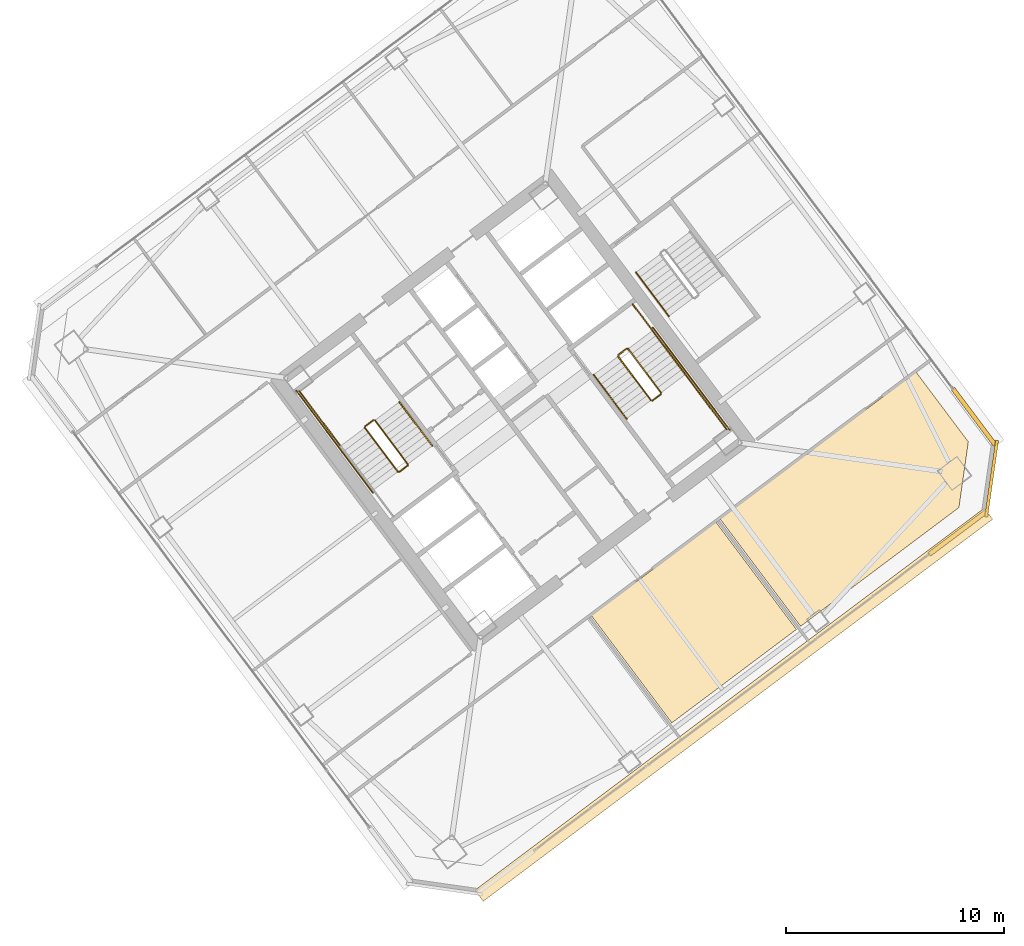
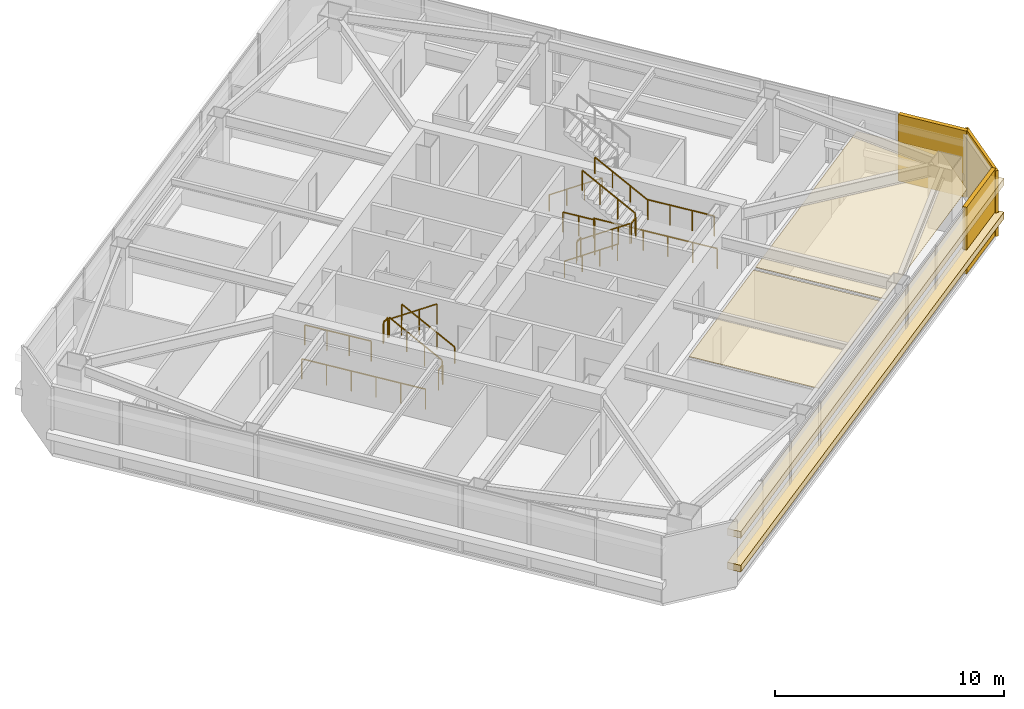
# One storey, part 41 of 43: 17 railings, 7 coverings.
"""IFC4 building model written with IfcOpenShell, lengths in metres."""

from ifc_helpers import new_model, si_unit, direction, frame, origin, origin_2d, place, context, subcontext, project, spatial, polyline, rectangle, outline, extrude, material, layer, layer_set, type_object, element, save


model = new_model("IFC4")

# Units and contexts
model_context = context("Model", 3, precision=1e-05, world=origin(), true_north=direction((0.0, 1.0)))
body_context = subcontext(model_context, "Body", "Model", "MODEL_VIEW")
ifc_project = project(units=[si_unit("LENGTHUNIT", "METRE"), si_unit("AREAUNIT", "SQUARE_METRE"), si_unit("VOLUMEUNIT", "CUBIC_METRE"), si_unit("PLANEANGLEUNIT", "RADIAN"), si_unit("MASSUNIT", "GRAM", prefix="KILO")], contexts=[model_context])

# Site, building, storey
site_placement = place(None, origin())
site = spatial("IfcSite", under=ifc_project, at=site_placement, CompositionType="ELEMENT")
building_placement = place(site_placement, origin())
building = spatial("IfcBuilding", under=site, at=building_placement, Name="Tashvorn Skyway Center", CompositionType="ELEMENT")
storey_placement = place(building_placement, frame((0.0, 0.0, 160.550048828125)))
storey = spatial("IfcBuildingStorey", under=building, at=storey_placement, Name="L43", CompositionType="ELEMENT", Elevation=160.550048828125)

# Coverings
ifc_material_1 = material(Name="Precast concrete C40/50", Category="concrete")
ifc_layer_1 = layer(ifc_material_1, 0.199951171875)
ifc_layer_set_1 = layer_set([ifc_layer_1], Name="Precast concrete C40/50")
covering_type_1 = type_object("IfcCoveringType", Name="COV-BRACE-CLAD", PredefinedType="CLADDING", material=ifc_layer_set_1)
for number, where, z_axis, x_axis, name in (
    (1, (134.43603515625, 26.35205078125, 0.0), (0.0, 0.0, 1.0), (-0.799999996291, -0.600000004945, 0.0), "Tower 2 L43 South Unitised Curtain Wall Mega-Brace Cladding Band 1"),
    (2, (135.199951171875, 31.699951171875, 0.0), (0.0, 0.0, 1.0), (0.600000004945, -0.799999996291, 0.0), "Tower 2 L43 East Unitised Curtain Wall Mega-Brace Cladding Band 2"),
):
    element("IfcCovering", number, at=place(storey_placement, frame(where, z_axis=z_axis, x_axis=x_axis)), inside=storey, type_object=covering_type_1, Name=name, PredefinedType="CLADDING", context=body_context, shape_type="SweptSolid", body=[
        extrude(rectangle(XDim=3.239990234375, YDim=0.199951171875, at=origin_2d()), origin(), (0.0, 0.0, 1.0), 3.550048828125),
    ])
ifc_material_2 = material(Name="Mineral-fibre acoustic ceiling tile on suspended grid")
ifc_layer_2 = layer(ifc_material_2, 0.02001953125)
ifc_layer_set_2 = layer_set([ifc_layer_2], Name="Mineral-fibre acoustic ceiling tile on suspended grid")
covering_type_2 = type_object("IfcCoveringType", Name="COV-CEIL-20", PredefinedType="CEILING", material=ifc_layer_set_2)
covering_1_placement = place(storey_placement, frame((0.0, 0.0, 2.702880859375)))
element("IfcCovering", 3, at=covering_1_placement, inside=storey, type_object=covering_type_2, Name="Tower 2 L43 Staff Fitness Club Acoustic Ceiling", PredefinedType="CEILING", context=body_context, shape_type="SweptSolid", body=[
    extrude(outline(polyline([(117.60205078125, 22.56396484375), (123.330078125, 26.860107421875), (127.031982421875, 21.924072265625), (121.303955078125, 17.6279296875), (117.60205078125, 22.56396484375)])), origin(), (0.0, 0.0, 1.0), 0.02001953125),
])
covering_2_placement = place(storey_placement, frame((0.0, 0.0, 2.702880859375)))
element("IfcCovering", 4, at=covering_2_placement, inside=storey, type_object=covering_type_2, Name="Tower 2 L43 Staff Fitness Club Acoustic Ceiling", PredefinedType="CEILING", context=body_context, shape_type="SweptSolid", body=[
    extrude(outline(polyline([(127.22412109375, 22.068115234375), (123.52197265625, 27.00390625), (132.530029296875, 33.760009765625), (134.93603515625, 30.552001953125), (134.50390625, 27.528076171875), (127.22412109375, 22.068115234375)])), origin(), (0.0, 0.0, 1.0), 0.02001953125),
])
ifc_material_3 = material(Name="Perforated ceramic-coated bronze aluminium solar screen", Category="aluminium")
ifc_layer_3 = layer(ifc_material_3, 0.85009765625)
ifc_layer_set_3 = layer_set([ifc_layer_3], Name="Perforated ceramic-coated bronze aluminium solar screen")
covering_type_3 = type_object("IfcCoveringType", Name="COV-SOLAR-BAND", PredefinedType="CLADDING", material=ifc_layer_set_3)
for number, where, z_axis, x_axis, name in (
    (5, (124.152099609375, 18.464111328125, 0.919921875), (0.0, 0.0, 1.0), (-0.799999996291, -0.600000004945, 0.0), "L43 Perforated Ceramic-Metal Solar Screen Louvre Band South 1"),
    (6, (124.152099609375, 18.464111328125, 2.7197265625), (0.0, 0.0, 1.0), (-0.799999996291, -0.600000004945, 0.0), "L43 Perforated Ceramic-Metal Solar Screen Louvre Band South 2"),
):
    element("IfcCovering", number, at=place(storey_placement, frame(where, z_axis=z_axis, x_axis=x_axis)), inside=storey, type_object=covering_type_3, Name=name, PredefinedType="CLADDING", context=body_context, shape_type="SweptSolid", body=[
        extrude(rectangle(XDim=29.280029296875, YDim=0.639892578125, at=origin_2d()), origin(), (0.0, 0.0, 1.0), 0.360107421875),
    ])
ifc_layer_4 = layer(ifc_material_1, 0.35009765625)
ifc_layer_set_4 = layer_set([ifc_layer_4], Name="Precast concrete C40/50")
covering_type_4 = type_object("IfcCoveringType", Name="COV-STONE-TRIM", PredefinedType="CLADDING", material=ifc_layer_set_4)
covering_3_placement = place(storey_placement, frame((136.008056640625, 28.85595703125, 0.02001953125), z_axis=(0.0, 0.0, 1.0), x_axis=(0.141421350118, 0.989949494535, 0.0)))
element("IfcCovering", 7, at=covering_3_placement, inside=storey, type_object=covering_type_4, Name="Tower 2 L43 SE Mojave Limestone Corner Quoin", PredefinedType="CLADDING", context=body_context, shape_type="SweptSolid", body=[
    extrude(rectangle(XDim=3.55419921875, YDim=0.139892578125, at=origin_2d()), origin(), (0.0, 0.0, 1.0), 3.510009765625),
])

# Railings
ifc_material_4 = material(Name="Brushed stainless steel 316", Category="steel")
railing_type_1 = type_object("IfcRailingType", Name="RAIL-HAND-920", PredefinedType="HANDRAIL", material=ifc_material_4)
railing_1_placement = place(storey_placement, frame((110.2880859375, 30.365966796875, 0.177490234375)))
element("IfcRailing", 8, at=railing_1_placement, inside=storey, type_object=railing_type_1, Name="L43 ST-T2-1 stair handrail 1", PredefinedType="HANDRAIL", context=body_context, shape_type="SweptSolid", body=[
    extrude(rectangle(XDim=0.048095703125, YDim=0.048095703125, at=origin_2d()), frame((0.0, 0.0, 0.8759765625), z_axis=(-0.506801609611, 0.675680931896, 0.535357270211), x_axis=(-0.799976749893, -0.600030998891, 0.0)), (0.0, 0.0, 1.0), 2.98388671875),
    extrude(rectangle(XDim=0.0419921875, YDim=0.0419921875, at=origin_2d()), origin(), (0.0, 0.0, 1.0), 0.851806640625),
    extrude(rectangle(XDim=0.0419921875, YDim=0.0419921875, at=origin_2d()), frame((-0.504150390625, 0.672119140625, 0.532470703125)), (0.0, 0.0, 1.0), 0.851806640625),
    extrude(rectangle(XDim=0.0419921875, YDim=0.0419921875, at=origin_2d()), frame((-1.008056640625, 1.343994140625, 1.06494140625)), (0.0, 0.0, 1.0), 0.851806640625),
    extrude(rectangle(XDim=0.0419921875, YDim=0.0419921875, at=origin_2d()), frame((-1.51220703125, 2.01611328125, 1.597412109375)), (0.0, 0.0, 1.0), 0.851806640625),
])
railing_2_placement = place(storey_placement, frame((117.7119140625, 33.634033203125, 0.177490234375)))
element("IfcRailing", 9, at=railing_2_placement, inside=storey, type_object=railing_type_1, Name="L43 ST-T2-2 stair handrail 1", PredefinedType="HANDRAIL", context=body_context, shape_type="SweptSolid", body=[
    extrude(rectangle(XDim=0.048095703125, YDim=0.048095703125, at=origin_2d()), frame((0.0, 0.0, 0.8759765625), z_axis=(0.506801609611, -0.675680931896, 0.535357270211), x_axis=(0.799976749893, 0.600030998891, 0.0)), (0.0, 0.0, 1.0), 2.98388671875),
    extrude(rectangle(XDim=0.0419921875, YDim=0.0419921875, at=origin_2d()), origin(), (0.0, 0.0, 1.0), 0.851806640625),
    extrude(rectangle(XDim=0.0419921875, YDim=0.0419921875, at=origin_2d()), frame((0.504150390625, -0.672119140625, 0.532470703125)), (0.0, 0.0, 1.0), 0.851806640625),
    extrude(rectangle(XDim=0.0419921875, YDim=0.0419921875, at=origin_2d()), frame((1.008056640625, -1.343994140625, 1.06494140625)), (0.0, 0.0, 1.0), 0.851806640625),
    extrude(rectangle(XDim=0.0419921875, YDim=0.0419921875, at=origin_2d()), frame((1.51220703125, -2.01611328125, 1.597412109375)), (0.0, 0.0, 1.0), 0.851806640625),
])
railing_3_placement = place(storey_placement, frame((121.927978515625, 33.64599609375, 1.952392578125)))
element("IfcRailing", 10, at=railing_3_placement, inside=storey, type_object=railing_type_1, Name="L43 ST-T2-2 stair handrail 2", PredefinedType="HANDRAIL", context=body_context, shape_type="SweptSolid", body=[
    extrude(rectangle(XDim=0.048095703125, YDim=0.048095703125, at=origin_2d()), frame((0.0, 0.0, 0.8759765625), z_axis=(-0.506718600913, 0.675679348675, 0.535437836974), x_axis=(-0.800023250257, -0.599968998406, 0.0)), (0.0, 0.0, 1.0), 2.98388671875),
    extrude(rectangle(XDim=0.0419921875, YDim=0.0419921875, at=origin_2d()), origin(), (0.0, 0.0, 1.0), 0.851806640625),
    extrude(rectangle(XDim=0.0419921875, YDim=0.0419921875, at=origin_2d()), frame((-0.50390625, 0.672119140625, 0.532470703125)), (0.0, 0.0, 1.0), 0.851806640625),
    extrude(rectangle(XDim=0.0419921875, YDim=0.0419921875, at=origin_2d()), frame((-1.008056640625, 1.343994140625, 1.065185546875)), (0.0, 0.0, 1.0), 0.851806640625),
    extrude(rectangle(XDim=0.0419921875, YDim=0.0419921875, at=origin_2d()), frame((-1.511962890625, 2.01611328125, 1.59765625)), (0.0, 0.0, 1.0), 0.851806640625),
])
railing_4_placement = place(storey_placement, frame((119.656005859375, 38.342041015625, 0.177490234375)))
element("IfcRailing", 11, at=railing_4_placement, inside=storey, type_object=railing_type_1, Name="L43 ST-T2-3 stair handrail 1", PredefinedType="HANDRAIL", context=body_context, shape_type="SweptSolid", body=[
    extrude(rectangle(XDim=0.048095703125, YDim=0.048095703125, at=origin_2d()), frame((0.0, 0.0, 0.8759765625), z_axis=(0.506740800098, -0.675708949977, 0.535379469569), x_axis=(0.800023250257, 0.599968998406, 0.0)), (0.0, 0.0, 1.0), 2.983642578125),
    extrude(rectangle(XDim=0.0419921875, YDim=0.0419921875, at=origin_2d()), origin(), (0.0, 0.0, 1.0), 0.851806640625),
    extrude(rectangle(XDim=0.0419921875, YDim=0.0419921875, at=origin_2d()), frame((0.50390625, -0.672119140625, 0.532470703125)), (0.0, 0.0, 1.0), 0.851806640625),
    extrude(rectangle(XDim=0.0419921875, YDim=0.0419921875, at=origin_2d()), frame((1.008056640625, -1.343994140625, 1.06494140625)), (0.0, 0.0, 1.0), 0.851806640625),
    extrude(rectangle(XDim=0.0419921875, YDim=0.0419921875, at=origin_2d()), frame((1.511962890625, -2.01611328125, 1.597412109375)), (0.0, 0.0, 1.0), 0.851806640625),
])
ifc_material_5 = material(Name="Painted galvanized steel S355", Category="steel")
railing_type_2 = type_object("IfcRailingType", Name="RAIL-STGUARD-1100", PredefinedType="GUARDRAIL", material=ifc_material_5)
railing_5_placement = place(storey_placement, frame((109.16796875, 29.52587890625, 0.177490234375)))
element("IfcRailing", 12, at=railing_5_placement, inside=storey, type_object=railing_type_2, Name="L43 ST-T2-1 stair guard 1", PredefinedType="GUARDRAIL", context=body_context, shape_type="SweptSolid", body=[
    extrude(rectangle(XDim=0.048095703125, YDim=0.048095703125, at=origin_2d()), frame((0.0, 0.0, 1.076171875), z_axis=(-0.506740800098, 0.675708949977, 0.535379469569), x_axis=(-0.800023250257, -0.599968998406, 0.0)), (0.0, 0.0, 1.0), 2.983642578125),
    extrude(rectangle(XDim=0.0419921875, YDim=0.0419921875, at=origin_2d()), origin(), (0.0, 0.0, 1.0), 1.052001953125),
    extrude(rectangle(XDim=0.0419921875, YDim=0.0419921875, at=origin_2d()), frame((-0.50390625, 0.672119140625, 0.532470703125)), (0.0, 0.0, 1.0), 1.052001953125),
    extrude(rectangle(XDim=0.0419921875, YDim=0.0419921875, at=origin_2d()), frame((-1.008056640625, 1.343994140625, 1.06494140625)), (0.0, 0.0, 1.0), 1.052001953125),
    extrude(rectangle(XDim=0.0419921875, YDim=0.0419921875, at=origin_2d()), frame((-1.511962890625, 2.01611328125, 1.597412109375)), (0.0, 0.0, 1.0), 1.052001953125),
])
railing_6_placement = place(storey_placement, frame((107.5859375, 31.552001953125, 1.77490234375)))
element("IfcRailing", 13, at=railing_6_placement, inside=storey, type_object=railing_type_2, Name="L43 ST-T2-1 stair guard 2", PredefinedType="GUARDRAIL", context=body_context, shape_type="SweptSolid", body=[
    extrude(rectangle(XDim=0.048095703125, YDim=0.048095703125, at=origin_2d()), frame((0.0, 0.0, 1.076171875), z_axis=(-0.799938970639, -0.600081363861, 0.0), x_axis=(0.600081363861, -0.799938970639, 0.0)), (0.0, 0.0, 1.0), 0.47998046875),
    extrude(rectangle(XDim=0.0419921875, YDim=0.0419921875, at=origin_2d()), origin(), (0.0, 0.0, 1.0), 1.052001953125),
    extrude(rectangle(XDim=0.0419921875, YDim=0.0419921875, at=origin_2d()), frame((-0.384033203125, -0.2880859375, 0.0)), (0.0, 0.0, 1.0), 1.052001953125),
])
railing_7_placement = place(storey_placement, frame((106.072021484375, 30.35400390625, 1.77490234375)))
element("IfcRailing", 14, at=railing_7_placement, inside=storey, type_object=railing_type_2, Name="L43 ST-T2-1 stair guard 3", PredefinedType="GUARDRAIL", context=body_context, shape_type="SweptSolid", body=[
    extrude(rectangle(XDim=0.048095703125, YDim=0.048095703125, at=origin_2d()), frame((0.0, 0.0, 1.076171875), z_axis=(-0.599987638607, 0.800009270896, 0.0), x_axis=(-0.800009270896, -0.599987638607, 0.0)), (0.0, 0.0, 1.0), 3.16015625),
    extrude(rectangle(XDim=0.0419921875, YDim=0.0419921875, at=origin_2d()), origin(), (0.0, 0.0, 1.0), 1.052001953125),
    extrude(rectangle(XDim=0.0419921875, YDim=0.0419921875, at=origin_2d()), frame((-0.632080078125, 0.8427734375, 0.0)), (0.0, 0.0, 1.0), 1.052001953125),
    extrude(rectangle(XDim=0.0419921875, YDim=0.0419921875, at=origin_2d()), frame((-1.263916015625, 1.685302734375, 0.0)), (0.0, 0.0, 1.0), 1.052001953125),
    extrude(rectangle(XDim=0.0419921875, YDim=0.0419921875, at=origin_2d()), frame((-1.89599609375, 2.528076171875, 0.0)), (0.0, 0.0, 1.0), 1.052001953125),
])
railing_8_placement = place(storey_placement, frame((107.19189453125, 31.194091796875, 1.952392578125)))
element("IfcRailing", 15, at=railing_8_placement, inside=storey, type_object=railing_type_2, Name="L43 ST-T2-1 stair guard 4", PredefinedType="GUARDRAIL", context=body_context, shape_type="SweptSolid", body=[
    extrude(rectangle(XDim=0.048095703125, YDim=0.048095703125, at=origin_2d()), frame((0.0, 0.0, 1.076171875), z_axis=(0.506779409603, -0.675651334276, 0.53541563714), x_axis=(0.799976749893, 0.600030998891, 0.0)), (0.0, 0.0, 1.0), 2.98388671875),
    extrude(rectangle(XDim=0.0419921875, YDim=0.0419921875, at=origin_2d()), origin(), (0.0, 0.0, 1.0), 1.052001953125),
    extrude(rectangle(XDim=0.0419921875, YDim=0.0419921875, at=origin_2d()), frame((0.504150390625, -0.672119140625, 0.532470703125)), (0.0, 0.0, 1.0), 1.052001953125),
    extrude(rectangle(XDim=0.0419921875, YDim=0.0419921875, at=origin_2d()), frame((1.008056640625, -1.343994140625, 1.065185546875)), (0.0, 0.0, 1.0), 1.052001953125),
    extrude(rectangle(XDim=0.0419921875, YDim=0.0419921875, at=origin_2d()), frame((1.51220703125, -2.01611328125, 1.59765625)), (0.0, 0.0, 1.0), 1.052001953125),
])
railing_9_placement = place(storey_placement, frame((109.157958984375, 29.4560546875, 0.0)))
element("IfcRailing", 16, at=railing_9_placement, inside=storey, type_object=railing_type_2, Name="L43 ST-T2-1 stair guard 5", PredefinedType="GUARDRAIL", context=body_context, shape_type="SweptSolid", body=[
    extrude(rectangle(XDim=0.048095703125, YDim=0.048095703125, at=origin_2d()), frame((0.0, 0.0, 1.076171875), z_axis=(-0.799938970639, -0.600081363861, 0.0), x_axis=(0.600081363861, -0.799938970639, 0.0)), (0.0, 0.0, 1.0), 0.47998046875),
    extrude(rectangle(XDim=0.0419921875, YDim=0.0419921875, at=origin_2d()), origin(), (0.0, 0.0, 1.0), 1.052001953125),
    extrude(rectangle(XDim=0.0419921875, YDim=0.0419921875, at=origin_2d()), frame((-0.384033203125, -0.2880859375, 0.0)), (0.0, 0.0, 1.0), 1.052001953125),
])
railing_10_placement = place(storey_placement, frame((107.56396484375, 28.197998046875, 0.0)))
element("IfcRailing", 17, at=railing_10_placement, inside=storey, type_object=railing_type_2, Name="L43 ST-T2-1 stair guard 7", PredefinedType="GUARDRAIL", context=body_context, shape_type="SweptSolid", body=[
    extrude(rectangle(XDim=0.048095703125, YDim=0.048095703125, at=origin_2d()), frame((0.0, 0.0, 1.076171875), z_axis=(-0.6, 0.8, 0.0), x_axis=(-0.8, -0.6, 0.0)), (0.0, 0.0, 1.0), 5.880126953125),
    extrude(rectangle(XDim=0.0419921875, YDim=0.0419921875, at=origin_2d()), origin(), (0.0, 0.0, 1.0), 1.052001953125),
    extrude(rectangle(XDim=0.0419921875, YDim=0.0419921875, at=origin_2d()), frame((-0.70556640625, 0.94091796875, 0.0)), (0.0, 0.0, 1.0), 1.052001953125),
    extrude(rectangle(XDim=0.0419921875, YDim=0.0419921875, at=origin_2d()), frame((-1.4111328125, 1.881591796875, 0.0)), (0.0, 0.0, 1.0), 1.052001953125),
    extrude(rectangle(XDim=0.0419921875, YDim=0.0419921875, at=origin_2d()), frame((-2.116943359375, 2.822509765625, 0.0)), (0.0, 0.0, 1.0), 1.052001953125),
    extrude(rectangle(XDim=0.0419921875, YDim=0.0419921875, at=origin_2d()), frame((-2.822509765625, 3.76318359375, 0.0)), (0.0, 0.0, 1.0), 1.052001953125),
    extrude(rectangle(XDim=0.0419921875, YDim=0.0419921875, at=origin_2d()), frame((-3.528076171875, 4.7041015625, 0.0)), (0.0, 0.0, 1.0), 1.052001953125),
])
railing_11_placement = place(storey_placement, frame((118.83203125, 34.47412109375, 0.177490234375)))
element("IfcRailing", 18, at=railing_11_placement, inside=storey, type_object=railing_type_2, Name="L43 ST-T2-2 stair guard 1", PredefinedType="GUARDRAIL", context=body_context, shape_type="SweptSolid", body=[
    extrude(rectangle(XDim=0.048095703125, YDim=0.048095703125, at=origin_2d()), frame((0.0, 0.0, 1.076171875), z_axis=(0.506740800098, -0.675708949977, 0.535379469569), x_axis=(0.800023250257, 0.599968998406, 0.0)), (0.0, 0.0, 1.0), 2.983642578125),
    extrude(rectangle(XDim=0.0419921875, YDim=0.0419921875, at=origin_2d()), origin(), (0.0, 0.0, 1.0), 1.052001953125),
    extrude(rectangle(XDim=0.0419921875, YDim=0.0419921875, at=origin_2d()), frame((0.50390625, -0.672119140625, 0.532470703125)), (0.0, 0.0, 1.0), 1.052001953125),
    extrude(rectangle(XDim=0.0419921875, YDim=0.0419921875, at=origin_2d()), frame((1.008056640625, -1.343994140625, 1.06494140625)), (0.0, 0.0, 1.0), 1.052001953125),
    extrude(rectangle(XDim=0.0419921875, YDim=0.0419921875, at=origin_2d()), frame((1.511962890625, -2.01611328125, 1.597412109375)), (0.0, 0.0, 1.0), 1.052001953125),
])
railing_12_placement = place(storey_placement, frame((120.4140625, 32.447998046875, 1.77490234375)))
element("IfcRailing", 19, at=railing_12_placement, inside=storey, type_object=railing_type_2, Name="L43 ST-T2-2 stair guard 2", PredefinedType="GUARDRAIL", context=body_context, shape_type="SweptSolid", body=[
    extrude(rectangle(XDim=0.048095703125, YDim=0.048095703125, at=origin_2d()), frame((0.0, 0.0, 1.076171875), z_axis=(0.799938970639, 0.600081363861, 0.0), x_axis=(-0.600081363861, 0.799938970639, 0.0)), (0.0, 0.0, 1.0), 0.47998046875),
    extrude(rectangle(XDim=0.0419921875, YDim=0.0419921875, at=origin_2d()), origin(), (0.0, 0.0, 1.0), 1.052001953125),
    extrude(rectangle(XDim=0.0419921875, YDim=0.0419921875, at=origin_2d()), frame((0.384033203125, 0.2880859375, 0.0)), (0.0, 0.0, 1.0), 1.052001953125),
])
railing_13_placement = place(storey_placement, frame((121.927978515625, 33.64599609375, 1.77490234375)))
element("IfcRailing", 20, at=railing_13_placement, inside=storey, type_object=railing_type_2, Name="L43 ST-T2-2 stair guard 3", PredefinedType="GUARDRAIL", context=body_context, shape_type="SweptSolid", body=[
    extrude(rectangle(XDim=0.048095703125, YDim=0.048095703125, at=origin_2d()), frame((0.0, 0.0, 1.076171875), z_axis=(0.599987638607, -0.800009270896, 0.0), x_axis=(0.800009270896, 0.599987638607, 0.0)), (0.0, 0.0, 1.0), 3.16015625),
    extrude(rectangle(XDim=0.0419921875, YDim=0.0419921875, at=origin_2d()), origin(), (0.0, 0.0, 1.0), 1.052001953125),
    extrude(rectangle(XDim=0.0419921875, YDim=0.0419921875, at=origin_2d()), frame((0.632080078125, -0.8427734375, 0.0)), (0.0, 0.0, 1.0), 1.052001953125),
    extrude(rectangle(XDim=0.0419921875, YDim=0.0419921875, at=origin_2d()), frame((1.263916015625, -1.685302734375, 0.0)), (0.0, 0.0, 1.0), 1.052001953125),
    extrude(rectangle(XDim=0.0419921875, YDim=0.0419921875, at=origin_2d()), frame((1.89599609375, -2.528076171875, 0.0)), (0.0, 0.0, 1.0), 1.052001953125),
])
railing_14_placement = place(storey_placement, frame((120.80810546875, 32.805908203125, 1.952392578125)))
element("IfcRailing", 21, at=railing_14_placement, inside=storey, type_object=railing_type_2, Name="L43 ST-T2-2 stair guard 4", PredefinedType="GUARDRAIL", context=body_context, shape_type="SweptSolid", body=[
    extrude(rectangle(XDim=0.048095703125, YDim=0.048095703125, at=origin_2d()), frame((0.0, 0.0, 1.076171875), z_axis=(-0.506779409603, 0.675651334276, 0.53541563714), x_axis=(-0.799976749893, -0.600030998891, 0.0)), (0.0, 0.0, 1.0), 2.98388671875),
    extrude(rectangle(XDim=0.0419921875, YDim=0.0419921875, at=origin_2d()), origin(), (0.0, 0.0, 1.0), 1.052001953125),
    extrude(rectangle(XDim=0.0419921875, YDim=0.0419921875, at=origin_2d()), frame((-0.504150390625, 0.672119140625, 0.532470703125)), (0.0, 0.0, 1.0), 1.052001953125),
    extrude(rectangle(XDim=0.0419921875, YDim=0.0419921875, at=origin_2d()), frame((-1.008056640625, 1.343994140625, 1.065185546875)), (0.0, 0.0, 1.0), 1.052001953125),
    extrude(rectangle(XDim=0.0419921875, YDim=0.0419921875, at=origin_2d()), frame((-1.51220703125, 2.01611328125, 1.59765625)), (0.0, 0.0, 1.0), 1.052001953125),
])
railing_15_placement = place(storey_placement, frame((118.842041015625, 34.5439453125, 0.0)))
element("IfcRailing", 22, at=railing_15_placement, inside=storey, type_object=railing_type_2, Name="L43 ST-T2-2 stair guard 5", PredefinedType="GUARDRAIL", context=body_context, shape_type="SweptSolid", body=[
    extrude(rectangle(XDim=0.048095703125, YDim=0.048095703125, at=origin_2d()), frame((0.0, 0.0, 1.076171875), z_axis=(0.799938970639, 0.600081363861, 0.0), x_axis=(-0.600081363861, 0.799938970639, 0.0)), (0.0, 0.0, 1.0), 0.47998046875),
    extrude(rectangle(XDim=0.0419921875, YDim=0.0419921875, at=origin_2d()), origin(), (0.0, 0.0, 1.0), 1.052001953125),
    extrude(rectangle(XDim=0.0419921875, YDim=0.0419921875, at=origin_2d()), frame((0.384033203125, 0.2880859375, 0.0)), (0.0, 0.0, 1.0), 1.052001953125),
])
railing_16_placement = place(storey_placement, frame((119.50390625, 36.8779296875, 0.0)))
element("IfcRailing", 23, at=railing_16_placement, inside=storey, type_object=railing_type_2, Name="L43 ST-T2-2 stair guard 6", PredefinedType="GUARDRAIL", context=body_context, shape_type="SweptSolid", body=[
    extrude(rectangle(XDim=0.048095703125, YDim=0.048095703125, at=origin_2d()), frame((0.0, 0.0, 1.076171875), z_axis=(0.600102796382, -0.799922892393, 0.0), x_axis=(0.799922892393, 0.600102796382, 0.0)), (0.0, 0.0, 1.0), 1.52001953125),
    extrude(rectangle(XDim=0.0419921875, YDim=0.0419921875, at=origin_2d()), origin(), (0.0, 0.0, 1.0), 1.052001953125),
    extrude(rectangle(XDim=0.0419921875, YDim=0.0419921875, at=origin_2d()), frame((0.4560546875, -0.60791015625, 0.0)), (0.0, 0.0, 1.0), 1.052001953125),
    extrude(rectangle(XDim=0.0419921875, YDim=0.0419921875, at=origin_2d()), frame((0.912109375, -1.2158203125, 0.0)), (0.0, 0.0, 1.0), 1.052001953125),
])
railing_17_placement = place(storey_placement, frame((120.43603515625, 35.802001953125, 0.0)))
element("IfcRailing", 24, at=railing_17_placement, inside=storey, type_object=railing_type_2, Name="L43 ST-T2-2 stair guard 7", PredefinedType="GUARDRAIL", context=body_context, shape_type="SweptSolid", body=[
    extrude(rectangle(XDim=0.048095703125, YDim=0.048095703125, at=origin_2d()), frame((0.0, 0.0, 1.076171875), z_axis=(0.6, -0.8, 0.0), x_axis=(0.8, 0.6, 0.0)), (0.0, 0.0, 1.0), 5.880126953125),
    extrude(rectangle(XDim=0.0419921875, YDim=0.0419921875, at=origin_2d()), origin(), (0.0, 0.0, 1.0), 1.052001953125),
    extrude(rectangle(XDim=0.0419921875, YDim=0.0419921875, at=origin_2d()), frame((0.70556640625, -0.94091796875, 0.0)), (0.0, 0.0, 1.0), 1.052001953125),
    extrude(rectangle(XDim=0.0419921875, YDim=0.0419921875, at=origin_2d()), frame((1.4111328125, -1.881591796875, 0.0)), (0.0, 0.0, 1.0), 1.052001953125),
    extrude(rectangle(XDim=0.0419921875, YDim=0.0419921875, at=origin_2d()), frame((2.116943359375, -2.822509765625, 0.0)), (0.0, 0.0, 1.0), 1.052001953125),
    extrude(rectangle(XDim=0.0419921875, YDim=0.0419921875, at=origin_2d()), frame((2.822509765625, -3.76318359375, 0.0)), (0.0, 0.0, 1.0), 1.052001953125),
    extrude(rectangle(XDim=0.0419921875, YDim=0.0419921875, at=origin_2d()), frame((3.528076171875, -4.7041015625, 0.0)), (0.0, 0.0, 1.0), 1.052001953125),
])

save(model, "model.ifc")
